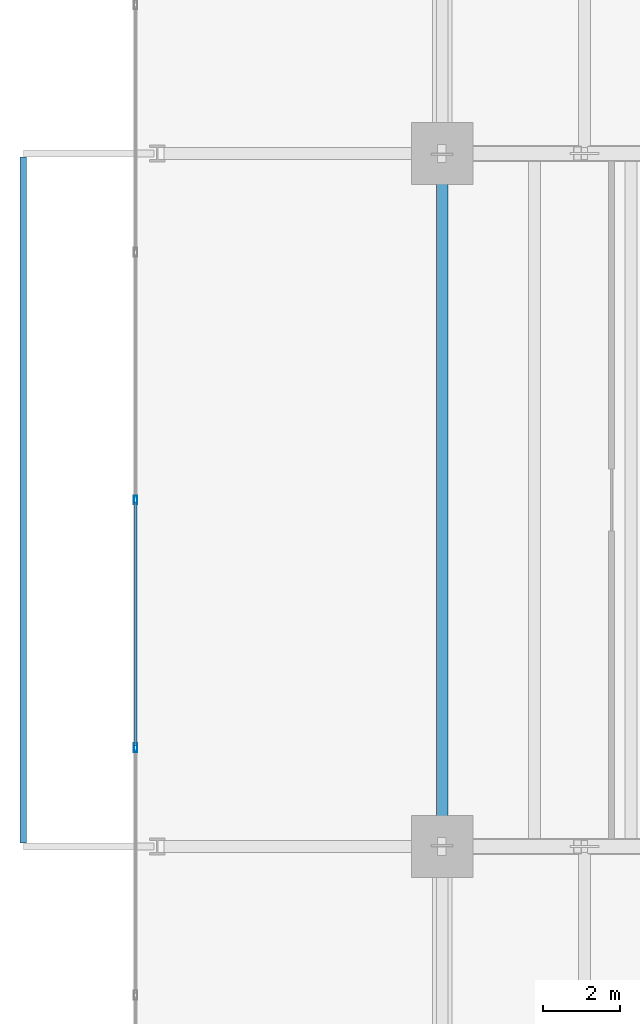
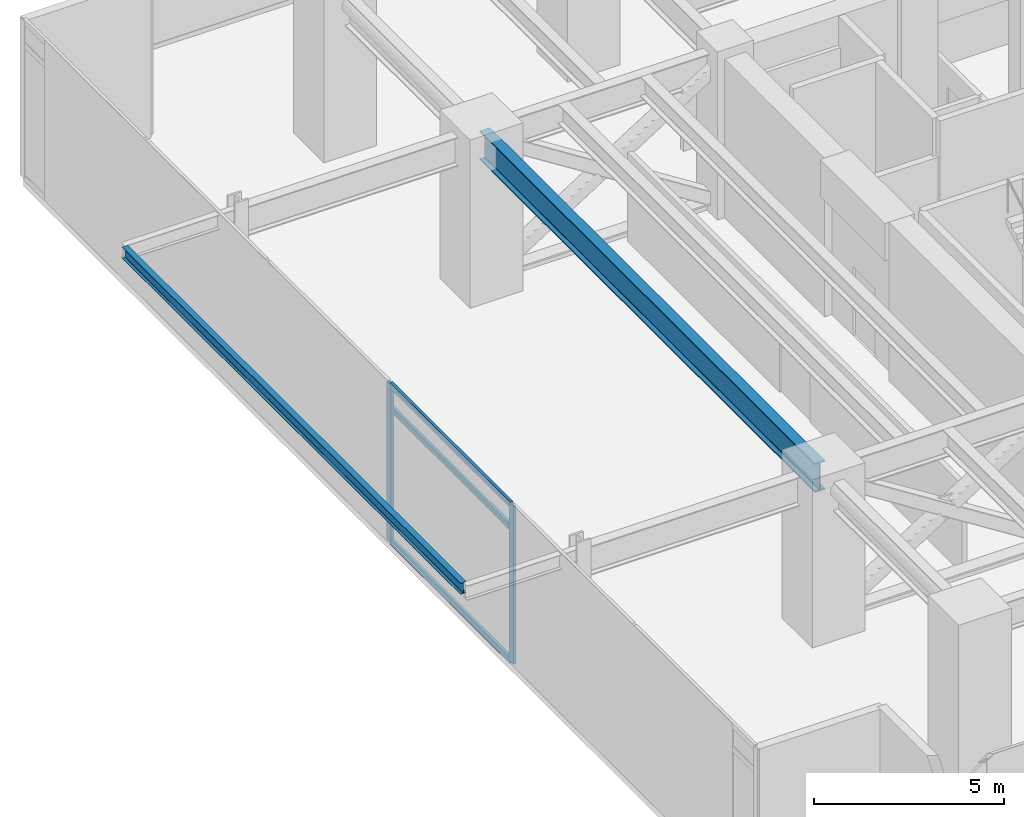
# One storey, part 6 of 26: 5 members, 2 beams, 1 element without a shape of its own.
"""IFC4 building model written with IfcOpenShell, lengths in metres."""

from ifc_helpers import new_model, si_unit, direction, frame, origin, origin_2d, place, context, subcontext, project, spatial, hollow_rectangle, i_section, extrude, material, material_profile, profile_set, type_object, element, aggregate, save


model = new_model("IFC4")

# Units and contexts
model_context = context("Model", 3, precision=1e-05, world=origin(), true_north=direction((0.0, 1.0)))
body_context = subcontext(model_context, "Body", "Model", "MODEL_VIEW")
ifc_project = project(units=[si_unit("LENGTHUNIT", "METRE"), si_unit("AREAUNIT", "SQUARE_METRE"), si_unit("VOLUMEUNIT", "CUBIC_METRE"), si_unit("PLANEANGLEUNIT", "RADIAN"), si_unit("MASSUNIT", "GRAM", prefix="KILO")], contexts=[model_context])

# Site, building, storey
site_placement = place(None, origin())
site = spatial("IfcSite", under=ifc_project, at=site_placement, CompositionType="ELEMENT")
building_placement = place(site_placement, origin())
building = spatial("IfcBuilding", under=site, at=building_placement, Name="Kovane Verandah Tower", CompositionType="ELEMENT")
storey_placement = place(building_placement, frame((0.0, 0.0, 113.0)))
storey = spatial("IfcBuildingStorey", under=building, at=storey_placement, Name="L26", CompositionType="ELEMENT", Elevation=113.0)

# Beam
ifc_material_1 = material(Name="Steel S460", Category="steel")
ifc_material_profile_1 = material_profile(ifc_material_1, i_section(OverallWidth=0.3076171875, OverallDepth=0.926513671875, WebThickness=0.01953125, FlangeThickness=0.031982421875, FilletRadius=0.01904296875, at=origin_2d()), Name="UB914x305x289")
ifc_profile_set_1 = profile_set([ifc_material_profile_1], Name="Steel S460")
beam_type_1 = type_object("IfcBeamType", Name="BM-UB914x289", PredefinedType="BEAM", material=ifc_profile_set_1)
beam_1_placement = place(storey_placement, frame((21.60009765625, 18.679931640625, 4.63671875), z_axis=(0.0, 1.0, 0.0), x_axis=(-1.0, 0.0, 0.0)))
element("IfcBeam", 1, at=beam_1_placement, inside=storey, type_object=beam_type_1, Name="L26 Primary Tower Girder G-RW2", PredefinedType="BEAM", context=body_context, shape_type="SweptSolid", body=[
    extrude(i_section(OverallWidth=0.3076171875, OverallDepth=0.926513671875, WebThickness=0.01953125, FlangeThickness=0.031982421875, FilletRadius=0.01904296875, at=origin_2d()), origin(), (0.0, 0.0, 1.0), 17.64013671875),
])

# Curtain wall, members
ifc_material_2 = material(Name="Champagne Anodised Aluminium Frame with Low-E Clear Laminated Glass", Category="aluminium")
curtain_wall_type = type_object("IfcCurtainWallType", Name="CW-SYS-02-LOW", PredefinedType="NOTDEFINED", material=ifc_material_2)
curtain_wall_placement = place(storey_placement, origin())
curtain_wall = element("IfcCurtainWall", 2, at=curtain_wall_placement, inside=storey, type_object=curtain_wall_type, Name="L26 W Unitised Curtain Wall", PredefinedType="NOTDEFINED")
ifc_material_3 = material(Name="Champagne Anodised Aluminium 6063-T6", Category="aluminium")
ifc_material_profile_2 = material_profile(ifc_material_3, hollow_rectangle(XDim=0.0849609375, YDim=0.22998046875, WallThickness=0.00390625, at=origin_2d()), Name="AL85x230x4")
ifc_profile_set_2 = profile_set([ifc_material_profile_2], Name="Champagne Anodised Aluminium 6063-T6")
member_type_1 = type_object("IfcMemberType", Name="CW-MUL-85x230", PredefinedType="MULLION", material=ifc_profile_set_2)
member_1_placement = place(storey_placement, frame((13.635986328125, 27.5, 0.02001953125), z_axis=(0.0, 0.0, 1.0), x_axis=(-1.0, 0.0, 0.0)))
member_1 = element("IfcMember", 3, at=member_1_placement, type_object=member_type_1, Name="L26 W Unitised Curtain Wall Mullion 4", PredefinedType="MULLION", context=body_context, shape_type="SweptSolid", body=[
    extrude(hollow_rectangle(XDim=0.0849609375, YDim=0.22998046875, WallThickness=0.00390625, at=origin_2d()), origin(), (0.0, 0.0, 1.0), 5.06005859375),
])
member_2_placement = place(storey_placement, frame((13.635986328125, 21.068359375, 0.02001953125), z_axis=(0.0, 0.0, 1.0), x_axis=(-1.0, 0.0, 0.0)))
member_2 = element("IfcMember", 4, at=member_2_placement, type_object=member_type_1, Name="L26 W Unitised Curtain Wall Mullion 5", PredefinedType="MULLION", context=body_context, shape_type="SweptSolid", body=[
    extrude(hollow_rectangle(XDim=0.0849609375, YDim=0.22998046875, WallThickness=0.00390625, at=origin_2d()), origin(), (0.0, 0.0, 1.0), 5.06005859375),
])
ifc_material_profile_3 = material_profile(ifc_material_3, hollow_rectangle(XDim=0.0849609375, YDim=0.18994140625, WallThickness=0.00390625, at=origin_2d()), Name="AL85x190x4")
ifc_profile_set_3 = profile_set([ifc_material_profile_3], Name="Champagne Anodised Aluminium 6063-T6")
member_type_2 = type_object("IfcMemberType", Name="CW-TRN-85x190", PredefinedType="USERDEFINED", material=ifc_profile_set_3)
member_3_placement = place(storey_placement, frame((13.635986328125, 27.449951171875, 0.050048828125), z_axis=(0.0, -1.0, 0.0), x_axis=(1.0, 0.0, 0.0)))
member_3 = element("IfcMember", 5, at=member_3_placement, type_object=member_type_2, Name="L26 W Unitised Curtain Wall Transom TB Bay 4", ObjectType="TRANSOM", PredefinedType="USERDEFINED", context=body_context, shape_type="SweptSolid", body=[
    extrude(hollow_rectangle(XDim=0.0849609375, YDim=0.18994140625, WallThickness=0.00390625, at=origin_2d()), origin(), (0.0, 0.0, 1.0), 6.33154296875),
])
member_4_placement = place(storey_placement, frame((13.635986328125, 27.449951171875, 4.320068359375), z_axis=(0.0, -1.0, 0.0), x_axis=(1.0, 0.0, 0.0)))
member_4 = element("IfcMember", 6, at=member_4_placement, type_object=member_type_2, Name="L26 W Unitised Curtain Wall Transom TM Bay 4", ObjectType="TRANSOM", PredefinedType="USERDEFINED", context=body_context, shape_type="SweptSolid", body=[
    extrude(hollow_rectangle(XDim=0.0849609375, YDim=0.18994140625, WallThickness=0.00390625, at=origin_2d()), origin(), (0.0, 0.0, 1.0), 6.33154296875),
])
member_5_placement = place(storey_placement, frame((13.635986328125, 27.449951171875, 5.050048828125), z_axis=(0.0, -1.0, 0.0), x_axis=(1.0, 0.0, 0.0)))
member_5 = element("IfcMember", 7, at=member_5_placement, type_object=member_type_2, Name="L26 W Unitised Curtain Wall Transom TT Bay 4", ObjectType="TRANSOM", PredefinedType="USERDEFINED", context=body_context, shape_type="SweptSolid", body=[
    extrude(hollow_rectangle(XDim=0.0849609375, YDim=0.18994140625, WallThickness=0.00390625, at=origin_2d()), origin(), (0.0, 0.0, 1.0), 6.33154296875),
])
aggregate(curtain_wall, [member_1, member_2, member_3, member_4, member_5])

# Beam
ifc_material_4 = material(Name="Steel S355", Category="steel")
ifc_material_profile_4 = material_profile(ifc_material_4, i_section(OverallWidth=0.173095703125, OverallDepth=0.36328125, WebThickness=0.009033203125, FlangeThickness=0.015625, FilletRadius=0.01025390625, at=origin_2d()), Name="UB356x171x67")
ifc_profile_set_4 = profile_set([ifc_material_profile_4], Name="Steel S355")
beam_type_2 = type_object("IfcBeamType", Name="SPD-UB356x67", PredefinedType="USERDEFINED", material=ifc_profile_set_4)
beam_2_placement = place(storey_placement, frame((10.72021484375, 18.594482421875, 4.918212890625), z_axis=(0.0, 1.0, 0.0), x_axis=(-1.0, 0.0, 0.0)))
element("IfcBeam", 8, at=beam_2_placement, inside=storey, type_object=beam_type_2, Name="L26 West Planter Edge Spandrel", ObjectType="SPANDREL", PredefinedType="USERDEFINED", context=body_context, shape_type="SweptSolid", body=[
    extrude(i_section(OverallWidth=0.173095703125, OverallDepth=0.36328125, WebThickness=0.009033203125, FlangeThickness=0.015625, FilletRadius=0.01025390625, at=origin_2d()), origin(), (0.0, 0.0, 1.0), 17.81103515625),
])

save(model, "model.ifc")
